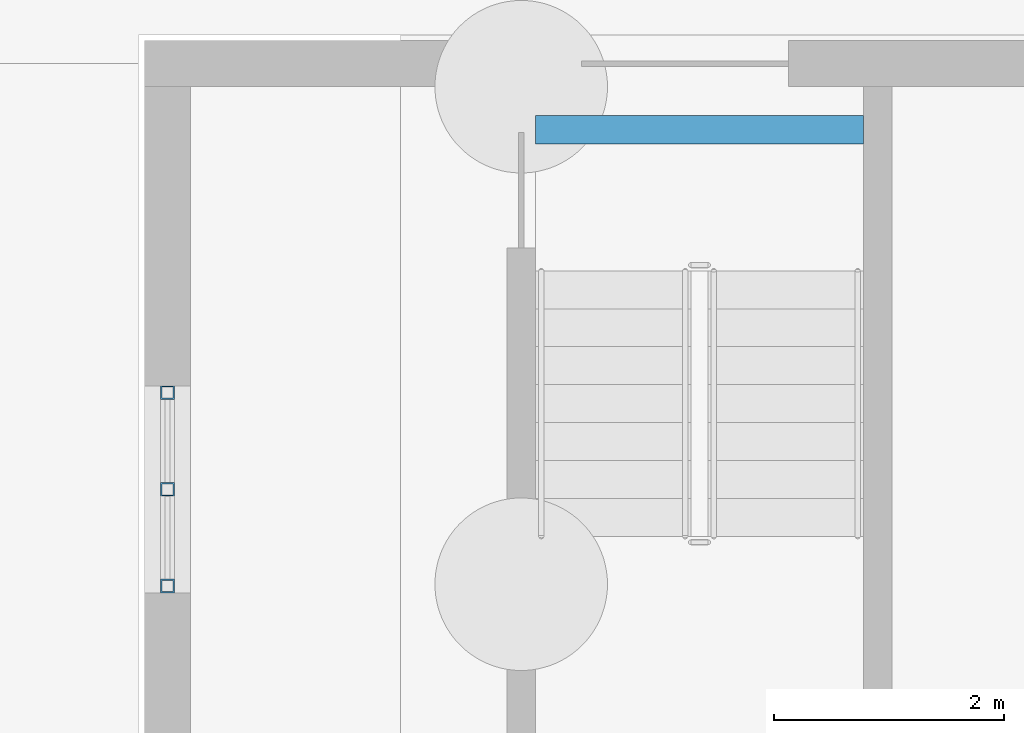
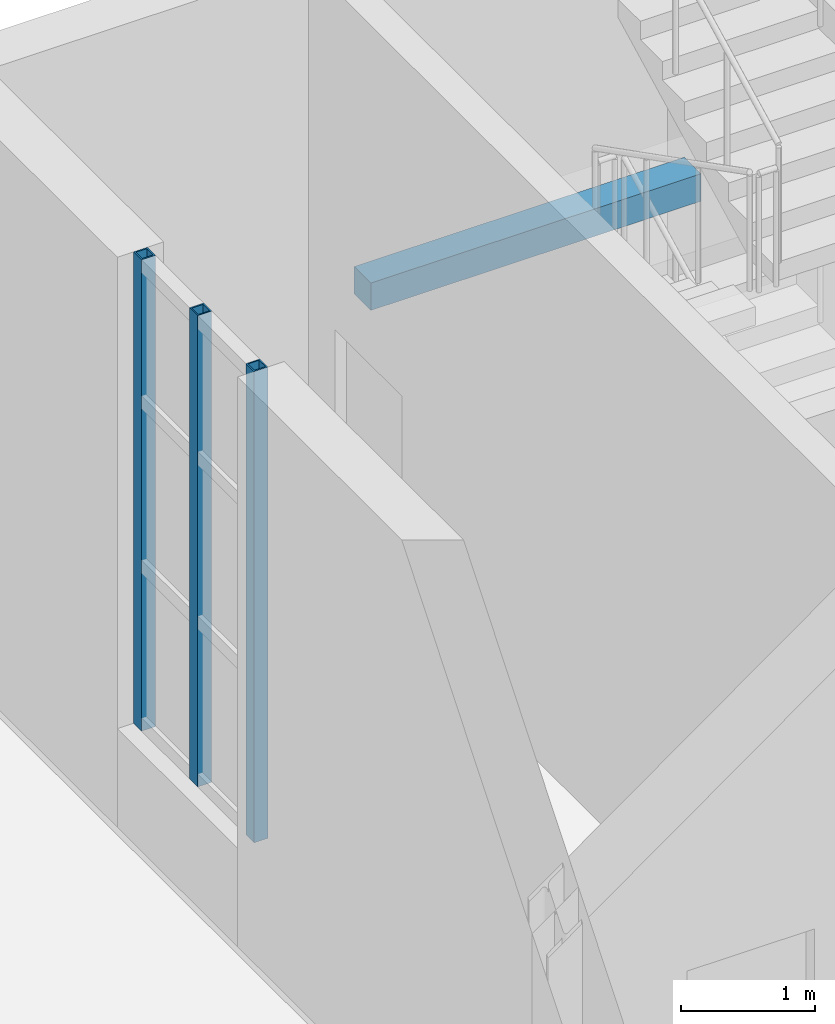
# One storey, part 67 of 168: 3 members, 1 beam, 1 element without a shape of its own.
"""IFC4 building model written with IfcOpenShell, lengths in metres."""

from ifc_helpers import new_model, si_unit, direction, frame, origin, origin_2d, place, context, subcontext, project, spatial, rectangle, hollow_rectangle, extrude, material, material_profile, profile_set, type_object, element, aggregate, save


model = new_model("IFC4")

# Units and contexts
model_context = context("Model", 3, precision=1e-05, world=origin(), true_north=direction((0.0, 1.0)))
body_context = subcontext(model_context, "Body", "Model", "MODEL_VIEW")
ifc_project = project(units=[si_unit("LENGTHUNIT", "METRE"), si_unit("AREAUNIT", "SQUARE_METRE"), si_unit("VOLUMEUNIT", "CUBIC_METRE"), si_unit("PLANEANGLEUNIT", "RADIAN"), si_unit("MASSUNIT", "GRAM", prefix="KILO")], contexts=[model_context])

# Site, building, storey
site_placement = place(None, origin())
site = spatial("IfcSite", under=ifc_project, at=site_placement, CompositionType="ELEMENT")
building_placement = place(site_placement, origin())
building = spatial("IfcBuilding", under=site, at=building_placement, Name="Golden Quay Civic Hall", CompositionType="ELEMENT")
storey_placement = place(building_placement, origin())
storey = spatial("IfcBuildingStorey", under=building, at=storey_placement, Name="L00", CompositionType="ELEMENT", Elevation=0.0)

# Curtain wall, members
ifc_material_1 = material(Name="Fire-resisting glass and steel", Category="steel")
curtain_wall_type = type_object("IfcCurtainWallType", Name="Fire-resisting glazed stair curtain wall EI 120", PredefinedType="NOTDEFINED", material=ifc_material_1)
curtain_wall_placement = place(storey_placement, origin())
curtain_wall = element("IfcCurtainWall", 1, at=curtain_wall_placement, inside=storey, type_object=curtain_wall_type, Name="CW4 stair curtain wall", PredefinedType="NOTDEFINED")
ifc_material_2 = material(Name="Steel S355", Category="steel")
ifc_material_profile_1 = material_profile(ifc_material_2, hollow_rectangle(XDim=0.1201171875, YDim=0.1201171875, WallThickness=0.012451171875, at=origin_2d()), Name="SHS 120x120x12.5")
ifc_profile_set_1 = profile_set([ifc_material_profile_1], Name="Steel S355")
member_type = type_object("IfcMemberType", Name="Fire-resisting steel stair mullion 120 x 120", PredefinedType="MULLION", material=ifc_profile_set_1)
member_1_placement = place(storey_placement, frame((63.0, 103.4599609375, 0.89990234375), z_axis=(0.0, 0.0, 1.0), x_axis=(-1.0, 0.0, 0.0)))
member_1 = element("IfcMember", 2, at=member_1_placement, type_object=member_type, Name="CW4 mullion 1", PredefinedType="MULLION", context=body_context, shape_type="SweptSolid", body=[
    extrude(hollow_rectangle(XDim=0.1201171875, YDim=0.1201171875, WallThickness=0.012451171875, at=origin_2d()), origin(), (0.0, 0.0, 1.0), 4.300048828125),
])
member_2_placement = place(storey_placement, frame((63.0, 104.300048828125, 0.89990234375), z_axis=(0.0, 0.0, 1.0), x_axis=(-1.0, 0.0, 0.0)))
member_2 = element("IfcMember", 3, at=member_2_placement, type_object=member_type, Name="CW4 mullion 2", PredefinedType="MULLION", context=body_context, shape_type="SweptSolid", body=[
    extrude(hollow_rectangle(XDim=0.1201171875, YDim=0.1201171875, WallThickness=0.012451171875, at=origin_2d()), origin(), (0.0, 0.0, 1.0), 4.300048828125),
])
member_3_placement = place(storey_placement, frame((63.0, 105.139892578125, 0.89990234375), z_axis=(0.0, 0.0, 1.0), x_axis=(-1.0, 0.0, 0.0)))
member_3 = element("IfcMember", 4, at=member_3_placement, type_object=member_type, Name="CW4 mullion 3", PredefinedType="MULLION", context=body_context, shape_type="SweptSolid", body=[
    extrude(hollow_rectangle(XDim=0.1201171875, YDim=0.1201171875, WallThickness=0.012451171875, at=origin_2d()), origin(), (0.0, 0.0, 1.0), 4.300048828125),
])
aggregate(curtain_wall, [member_1, member_2, member_3])

# Beam
ifc_material_3 = material(Name="Concrete C35/45", Category="concrete")
ifc_material_profile_2 = material_profile(ifc_material_3, rectangle(XDim=0.25, YDim=0.25, at=origin_2d()), Name="RC 250x250")
ifc_profile_set_2 = profile_set([ifc_material_profile_2], Name="Concrete C35/45")
beam_type = type_object("IfcBeamType", Name="Reinforced concrete landing beam 250x250", PredefinedType="BEAM", material=ifc_profile_set_2)
beam_placement = place(storey_placement, frame((66.199951171875, 107.425048828125, 2.375), z_axis=(1.0, 0.0, 0.0), x_axis=(0.0, 1.0, 0.0)))
element("IfcBeam", 5, at=beam_placement, inside=storey, type_object=beam_type, Name="L00 CB-NW L00 near landing 1 trimmer beam 1", PredefinedType="BEAM", context=body_context, shape_type="SweptSolid", body=[
    extrude(rectangle(XDim=0.25, YDim=0.25, at=origin_2d()), origin(), (0.0, 0.0, 1.0), 2.85009765625),
])

save(model, "model.ifc")
